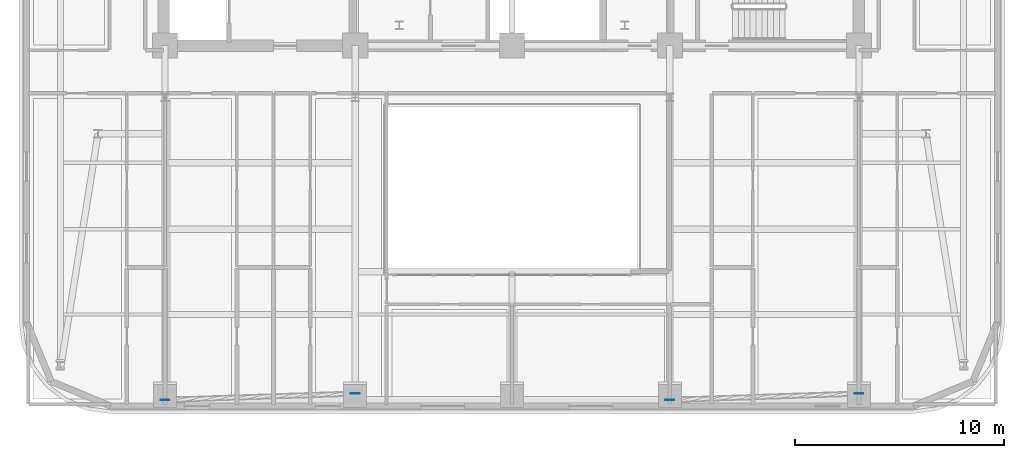
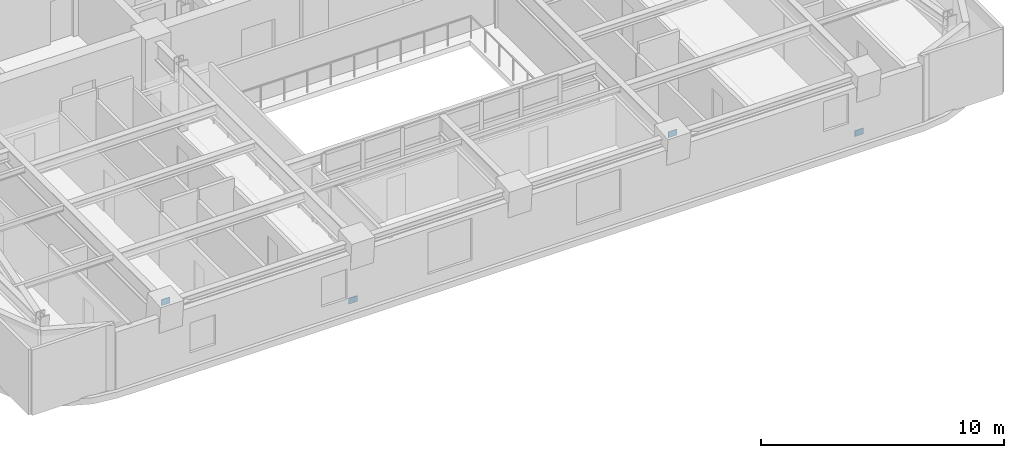
# One storey, part 4 of 12: 4 plates.
"""IFC4 building model written with IfcOpenShell, lengths in metres."""

from ifc_helpers import new_model, si_unit, direction, frame, origin, origin_2d, place, context, subcontext, project, spatial, rectangle, extrude, material, layer, layer_set, type_object, element, save


model = new_model("IFC4")

# Units and contexts
model_context = context("Model", 3, precision=1e-05, world=origin(), true_north=direction((0.0, 1.0)))
body_context = subcontext(model_context, "Body", "Model", "MODEL_VIEW")
ifc_project = project(units=[si_unit("LENGTHUNIT", "METRE"), si_unit("AREAUNIT", "SQUARE_METRE"), si_unit("VOLUMEUNIT", "CUBIC_METRE"), si_unit("PLANEANGLEUNIT", "RADIAN"), si_unit("MASSUNIT", "GRAM", prefix="KILO")], contexts=[model_context])

# Site, building, storey
site_placement = place(None, origin())
site = spatial("IfcSite", under=ifc_project, at=site_placement, CompositionType="ELEMENT")
building_placement = place(site_placement, origin())
building = spatial("IfcBuilding", under=site, at=building_placement, Name="Zarnavel Station Tower", CompositionType="ELEMENT")
storey_placement = place(building_placement, frame((0.0, 0.0, 166.10009765625)))
storey = spatial("IfcBuildingStorey", under=building, at=storey_placement, Name="L45", CompositionType="ELEMENT", Elevation=166.10009765625)

# Plates
ifc_material = material(Name="Steel S460M", Category="steel")
ifc_layer = layer(ifc_material, 0.02490234375)
ifc_layer_set = layer_set([ifc_layer], Name="GP_GUSSET_25")
plate_type = type_object("IfcPlateType", Name="GP_GUSSET_25", PredefinedType="USERDEFINED", material=ifc_layer_set)
for number, where, z_axis, x_axis, name in (
    (1, (21.300048828125, 11.176025390625, -0.14990234375), (0.0, 0.0, 1.0), (1.0, 0.0, 0.0), "L45 Exterior Diagonal Brace End Gusset 1-1"),
    (2, (12.199951171875, 10.8779296875, 3.1396484375), (0.0, 0.0, 1.0), (1.0, 0.0, 0.0), "L45 Exterior Diagonal Brace End Gusset 1-2"),
    (3, (45.39990234375, 11.176025390625, -0.14990234375), (0.0, 0.0, 1.0), (1.0, 0.0, 0.0), "L45 Exterior Diagonal Brace End Gusset 2-1"),
    (4, (36.35009765625, 10.8779296875, 3.1396484375), (0.0, 0.0, 1.0), (1.0, 0.0, 0.0), "L45 Exterior Diagonal Brace End Gusset 2-2"),
):
    element("IfcPlate", number, at=place(storey_placement, frame(where, z_axis=z_axis, x_axis=x_axis)), inside=storey, type_object=plate_type, Name=name, ObjectType="GUSSET_PLATE", PredefinedType="USERDEFINED", context=body_context, shape_type="SweptSolid", body=[
        extrude(rectangle(XDim=0.419921875, YDim=0.02490234375, at=origin_2d()), origin(), (0.0, 0.0, 1.0), 0.300048828125),
    ])

save(model, "model.ifc")
